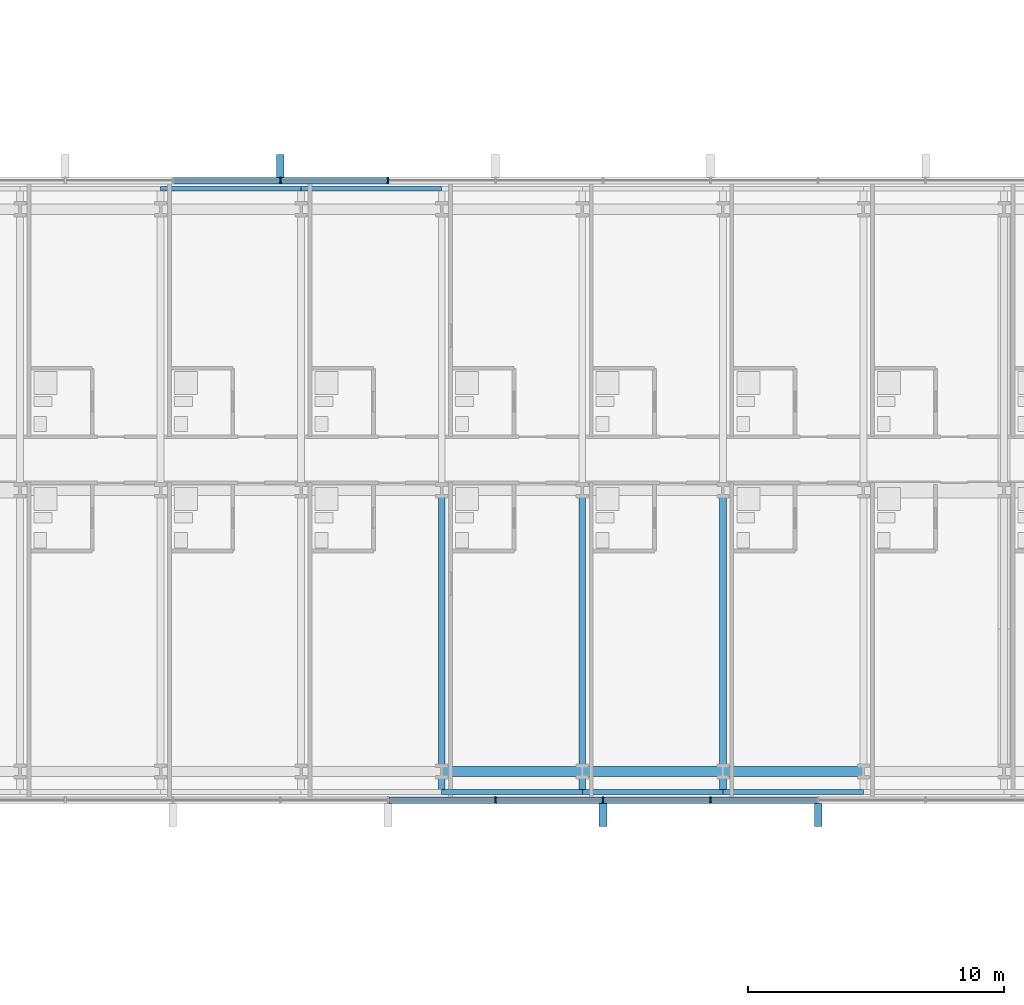
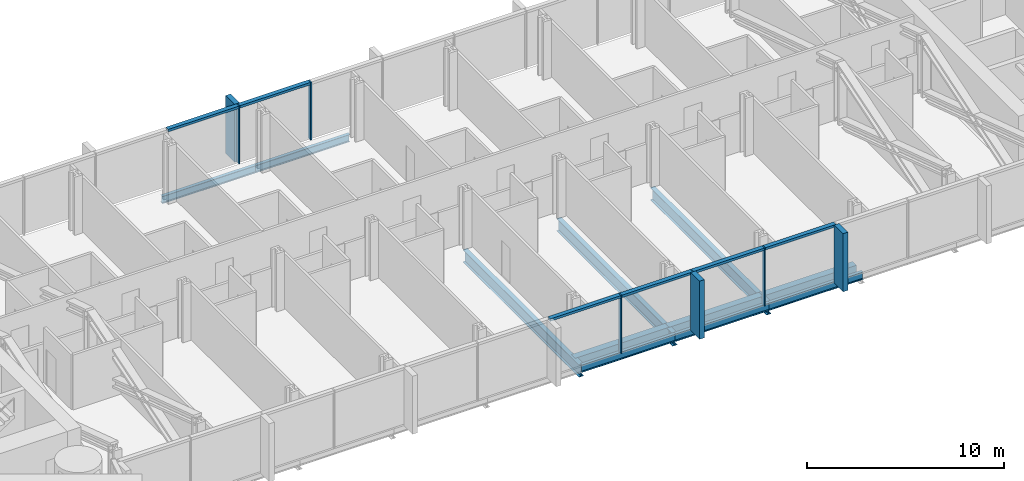
# One storey, part 6 of 23: 14 members, 11 beams, 2 elements without a shape of their own.
"""IFC4 building model written with IfcOpenShell, lengths in metres."""

from ifc_helpers import new_model, si_unit, direction, frame, origin, origin_2d, place, context, subcontext, project, spatial, rectangle, hollow_rectangle, i_section, extrude, material, material_profile, profile_set, type_object, element, aggregate, save


model = new_model("IFC4")

# Units and contexts
model_context = context("Model", 3, precision=1e-05, world=origin(), true_north=direction((0.0, 1.0)))
body_context = subcontext(model_context, "Body", "Model", "MODEL_VIEW")
ifc_project = project(units=[si_unit("LENGTHUNIT", "METRE"), si_unit("AREAUNIT", "SQUARE_METRE"), si_unit("VOLUMEUNIT", "CUBIC_METRE"), si_unit("PLANEANGLEUNIT", "RADIAN"), si_unit("MASSUNIT", "GRAM", prefix="KILO")], contexts=[model_context])

# Site, building, storey
site_placement = place(None, origin())
site = spatial("IfcSite", under=ifc_project, at=site_placement, CompositionType="ELEMENT")
building_placement = place(site_placement, origin())
building = spatial("IfcBuilding", under=site, at=building_placement, Name="Lancet Gate Hotel", CompositionType="ELEMENT")
storey_placement = place(building_placement, frame((0.0, 0.0, 222.5)))
storey = spatial("IfcBuildingStorey", under=building, at=storey_placement, Name="L59", CompositionType="ELEMENT", Elevation=222.5)

# Curtain wall, members
ifc_material_1 = material(Name="Aluminium curtain wall", Category="aluminium")
curtain_wall_type = type_object("IfcCurtainWallType", Name="Bridge block curtain wall", PredefinedType="USERDEFINED", material=ifc_material_1)
curtain_wall_1_placement = place(storey_placement, origin())
curtain_wall_1 = element("IfcCurtainWall", 1, at=curtain_wall_1_placement, inside=storey, type_object=curtain_wall_type, Name="Bridge block L59 curtain wall S", ObjectType="UNITISED CURTAIN WALL", PredefinedType="USERDEFINED")
ifc_material_2 = material(Name="Aluminium mullion", Category="aluminium")
ifc_material_profile_1 = material_profile(ifc_material_2, rectangle(XDim=0.06494140625, YDim=0.25, at=origin_2d()), Name="MULLION 65x250")
ifc_profile_set_1 = profile_set([ifc_material_profile_1], Name="Aluminium mullion")
member_type_1 = type_object("IfcMemberType", Name="Aluminium mullion 65x250", PredefinedType="MULLION", material=ifc_profile_set_1)
member_1_placement = place(storey_placement, frame((2.103759765625, -12.1201171875, 0.0), z_axis=(0.0, 0.0, 1.0), x_axis=(1.0, 0.0, 0.0)))
member_1 = element("IfcMember", 2, at=member_1_placement, type_object=member_type_1, Name="Bridge block L59 curtain wall S mullion 8", PredefinedType="MULLION", context=body_context, shape_type="SweptSolid", body=[
    extrude(rectangle(XDim=0.06494140625, YDim=0.25, at=origin_2d()), origin(), (0.0, 0.0, 1.0), 3.60009765625),
])
member_2_placement = place(storey_placement, frame((6.3115234375, -12.1201171875, 0.0), z_axis=(0.0, 0.0, 1.0), x_axis=(1.0, 0.0, 0.0)))
member_2 = element("IfcMember", 3, at=member_2_placement, type_object=member_type_1, Name="Bridge block L59 curtain wall S mullion 9", PredefinedType="MULLION", context=body_context, shape_type="SweptSolid", body=[
    extrude(rectangle(XDim=0.06494140625, YDim=0.25, at=origin_2d()), origin(), (0.0, 0.0, 1.0), 3.60009765625),
])
member_3_placement = place(storey_placement, frame((10.519287109375, -12.1201171875, 0.0), z_axis=(0.0, 0.0, 1.0), x_axis=(1.0, 0.0, 0.0)))
member_3 = element("IfcMember", 4, at=member_3_placement, type_object=member_type_1, Name="Bridge block L59 curtain wall S mullion 10", PredefinedType="MULLION", context=body_context, shape_type="SweptSolid", body=[
    extrude(rectangle(XDim=0.06494140625, YDim=0.25, at=origin_2d()), origin(), (0.0, 0.0, 1.0), 3.60009765625),
])

curtain_wall_2_placement = place(storey_placement, origin())
curtain_wall_2 = element("IfcCurtainWall", 5, at=curtain_wall_2_placement, inside=storey, type_object=curtain_wall_type, Name="Bridge block L59 curtain wall N", ObjectType="UNITISED CURTAIN WALL", PredefinedType="USERDEFINED")
member_4_placement = place(storey_placement, frame((-2.103759765625, 12.1201171875, 0.0), z_axis=(0.0, 0.0, 1.0), x_axis=(-1.0, 0.0, 0.0)))
member_4 = element("IfcMember", 6, at=member_4_placement, type_object=member_type_1, Name="Bridge block L59 curtain wall N mullion 8", PredefinedType="MULLION", context=body_context, shape_type="SweptSolid", body=[
    extrude(rectangle(XDim=0.06494140625, YDim=0.25, at=origin_2d()), origin(), (0.0, 0.0, 1.0), 3.60009765625),
])
member_5_placement = place(storey_placement, frame((-6.3115234375, 12.1201171875, 0.0), z_axis=(0.0, 0.0, 1.0), x_axis=(-1.0, 0.0, 0.0)))
member_5 = element("IfcMember", 7, at=member_5_placement, type_object=member_type_1, Name="Bridge block L59 curtain wall N mullion 9", PredefinedType="MULLION", context=body_context, shape_type="SweptSolid", body=[
    extrude(rectangle(XDim=0.06494140625, YDim=0.25, at=origin_2d()), origin(), (0.0, 0.0, 1.0), 3.60009765625),
])

# Member
ifc_material_3 = material(Name="Aluminium transom", Category="aluminium")
ifc_material_profile_2 = material_profile(ifc_material_3, rectangle(XDim=0.25, YDim=0.14990234375, at=origin_2d()), Name="TRANSOM 250x150")
ifc_profile_set_2 = profile_set([ifc_material_profile_2], Name="Aluminium transom")
member_type_2 = type_object("IfcMemberType", Name="Aluminium transom 250x150", PredefinedType="USERDEFINED", material=ifc_profile_set_2)
member_6_placement = place(storey_placement, frame((-2.0712890625, -12.1201171875, 3.52490234375), z_axis=(1.0, 0.0, 0.0), x_axis=(0.0, 1.0, 0.0)))
member_6 = element("IfcMember", 8, at=member_6_placement, type_object=member_type_2, Name="Bridge block L59 curtain wall S transom 7", ObjectType="TRANSOM", PredefinedType="USERDEFINED", context=body_context, shape_type="SweptSolid", body=[
    extrude(rectangle(XDim=0.25, YDim=0.14990234375, at=origin_2d()), origin(), (0.0, 0.0, 1.0), 4.142578125),
])

member_7_placement = place(storey_placement, frame((2.13623046875, -12.1201171875, 3.52490234375), z_axis=(1.0, 0.0, 0.0), x_axis=(0.0, 1.0, 0.0)))
member_7 = element("IfcMember", 9, at=member_7_placement, type_object=member_type_2, Name="Bridge block L59 curtain wall S transom 8", ObjectType="TRANSOM", PredefinedType="USERDEFINED", context=body_context, shape_type="SweptSolid", body=[
    extrude(rectangle(XDim=0.25, YDim=0.14990234375, at=origin_2d()), origin(), (0.0, 0.0, 1.0), 4.142822265625),
])

member_8_placement = place(storey_placement, frame((6.343994140625, -12.1201171875, 3.52490234375), z_axis=(1.0, 0.0, 0.0), x_axis=(0.0, 1.0, 0.0)))
member_8 = element("IfcMember", 10, at=member_8_placement, type_object=member_type_2, Name="Bridge block L59 curtain wall S transom 9", ObjectType="TRANSOM", PredefinedType="USERDEFINED", context=body_context, shape_type="SweptSolid", body=[
    extrude(rectangle(XDim=0.25, YDim=0.14990234375, at=origin_2d()), origin(), (0.0, 0.0, 1.0), 4.142822265625),
])

member_9_placement = place(storey_placement, frame((10.5517578125, -12.1201171875, 3.52490234375), z_axis=(1.0, 0.0, 0.0), x_axis=(0.0, 1.0, 0.0)))
member_9 = element("IfcMember", 11, at=member_9_placement, type_object=member_type_2, Name="Bridge block L59 curtain wall S transom 10", ObjectType="TRANSOM", PredefinedType="USERDEFINED", context=body_context, shape_type="SweptSolid", body=[
    extrude(rectangle(XDim=0.25, YDim=0.14990234375, at=origin_2d()), origin(), (0.0, 0.0, 1.0), 4.142578125),
])

member_10_placement = place(storey_placement, frame((-2.13623046875, 12.1201171875, 3.52490234375), z_axis=(-1.0, 0.0, 0.0), x_axis=(0.0, -1.0, 0.0)))
member_10 = element("IfcMember", 12, at=member_10_placement, type_object=member_type_2, Name="Bridge block L59 curtain wall N transom 8", ObjectType="TRANSOM", PredefinedType="USERDEFINED", context=body_context, shape_type="SweptSolid", body=[
    extrude(rectangle(XDim=0.25, YDim=0.14990234375, at=origin_2d()), origin(), (0.0, 0.0, 1.0), 4.142822265625),
])

member_11_placement = place(storey_placement, frame((-6.343994140625, 12.1201171875, 3.52490234375), z_axis=(-1.0, 0.0, 0.0), x_axis=(0.0, -1.0, 0.0)))
member_11 = element("IfcMember", 13, at=member_11_placement, type_object=member_type_2, Name="Bridge block L59 curtain wall N transom 9", ObjectType="TRANSOM", PredefinedType="USERDEFINED", context=body_context, shape_type="SweptSolid", body=[
    extrude(rectangle(XDim=0.25, YDim=0.14990234375, at=origin_2d()), origin(), (0.0, 0.0, 1.0), 4.142822265625),
])

# Beams
ifc_material_4 = material(Name="Steel S355", Category="steel")
ifc_material_profile_3 = material_profile(ifc_material_4, i_section(OverallWidth=0.19140625, OverallDepth=0.4599609375, WebThickness=0.010009765625, FlangeThickness=0.01611328125, FilletRadius=0.01025390625, at=origin_2d()), Name="UKB 457x191x82")
ifc_profile_set_3 = profile_set([ifc_material_profile_3], Name="Steel S355")
beam_type_1 = type_object("IfcBeamType", Name="Block edge beam UKB 457x191x82", PredefinedType="SPANDREL", material=ifc_profile_set_3)
for number, where, z_axis, x_axis, name in (
    (14, (-11.0, 11.800048828125, -0.429931640625), (1.0, 0.0, 0.0), (0.0, 1.0, 0.0), "Block edge beam N 3-4 L59"),
    (15, (-5.5, 11.800048828125, -0.429931640625), (1.0, 0.0, 0.0), (0.0, 1.0, 0.0), "Block edge beam N 4-5 L59"),
    (16, (0.0, -11.800048828125, -0.429931640625), (1.0, 0.0, 0.0), (0.0, 1.0, 0.0), "Block edge beam S 5-6 L59"),
    (17, (5.5, -11.800048828125, -0.429931640625), (1.0, 0.0, 0.0), (0.0, 1.0, 0.0), "Block edge beam S 6-7 L59"),
    (18, (11.0, -11.800048828125, -0.429931640625), (1.0, 0.0, 0.0), (0.0, 1.0, 0.0), "Block edge beam S 7-8 L59"),
):
    element("IfcBeam", number, at=place(storey_placement, frame(where, z_axis=z_axis, x_axis=x_axis)), inside=storey, type_object=beam_type_1, Name=name, PredefinedType="SPANDREL", context=body_context, shape_type="SweptSolid", body=[
        extrude(i_section(OverallWidth=0.19140625, OverallDepth=0.4599609375, WebThickness=0.010009765625, FlangeThickness=0.01611328125, FilletRadius=0.01025390625, at=origin_2d()), origin(), (0.0, 0.0, 1.0), 5.5),
    ])
ifc_material_5 = material(Name="Steel S355", Category="steel")
ifc_material_profile_4 = material_profile(ifc_material_5, hollow_rectangle(XDim=0.39990234375, YDim=0.89990234375, WallThickness=0.0400390625, at=origin_2d()), Name="BOX 900x400x40")
ifc_profile_set_4 = profile_set([ifc_material_profile_4], Name="Steel S355")
beam_type_2 = type_object("IfcBeamType", Name="Block primary beam BOX 900x400x40", PredefinedType="BEAM", material=ifc_profile_set_4)
for number, where, z_axis, x_axis, name in (
    (19, (0.0, -11.0, -0.64990234375), (1.0, 0.0, 0.0), (0.0, 1.0, 0.0), "Block primary beam S 6 L59"),
    (20, (5.5, -11.0, -0.64990234375), (1.0, 0.0, 0.0), (0.0, 1.0, 0.0), "Block primary beam S 7 L59"),
    (21, (11.0, -11.0, -0.64990234375), (1.0, 0.0, 0.0), (0.0, 1.0, 0.0), "Block primary beam S 8 L59"),
):
    element("IfcBeam", number, at=place(storey_placement, frame(where, z_axis=z_axis, x_axis=x_axis)), inside=storey, type_object=beam_type_2, Name=name, PredefinedType="BEAM", context=body_context, shape_type="SweptSolid", body=[
        extrude(hollow_rectangle(XDim=0.39990234375, YDim=0.89990234375, WallThickness=0.0400390625, at=origin_2d()), origin(), (0.0, 0.0, 1.0), 5.5),
    ])
ifc_material_6 = material(Name="Steel S355", Category="steel")
ifc_material_profile_5 = material_profile(ifc_material_6, i_section(OverallWidth=0.26806640625, OverallDepth=0.769775390625, WebThickness=0.015625, FlangeThickness=0.025390625, FilletRadius=0.0166015625, at=origin_2d()), Name="UKB 762x267x197")
ifc_profile_set_5 = profile_set([ifc_material_profile_5], Name="Steel S355")
beam_type_3 = type_object("IfcBeamType", Name="Block secondary beam UKB 762x267x197", PredefinedType="JOIST", material=ifc_profile_set_5)
for number, where, z_axis, x_axis, name in (
    (22, (0.0, -11.800048828125, -0.5849609375), (0.0, 1.0, 0.0), (-1.0, 0.0, 0.0), "Block beam x5 S L59"),
    (23, (5.5, -11.800048828125, -0.5849609375), (0.0, 1.0, 0.0), (-1.0, 0.0, 0.0), "Block beam x6 S L59"),
    (24, (11.0, -11.800048828125, -0.5849609375), (0.0, 1.0, 0.0), (-1.0, 0.0, 0.0), "Block beam x7 S L59"),
):
    element("IfcBeam", number, at=place(storey_placement, frame(where, z_axis=z_axis, x_axis=x_axis)), inside=storey, type_object=beam_type_3, Name=name, PredefinedType="JOIST", context=body_context, shape_type="SweptSolid", body=[
        extrude(i_section(OverallWidth=0.26806640625, OverallDepth=0.769775390625, WebThickness=0.015625, FlangeThickness=0.025390625, FilletRadius=0.0166015625, at=origin_2d()), origin(), (0.0, 0.0, 1.0), 11.800048828125),
    ])

# Member
ifc_material_7 = material(Name="Precast concrete C50/60", Category="concrete")
ifc_material_profile_6 = material_profile(ifc_material_7, rectangle(XDim=0.300048828125, YDim=0.89990234375, at=origin_2d()), Name="FIN 300x900")
ifc_profile_set_6 = profile_set([ifc_material_profile_6], Name="Precast concrete C50/60")
member_type_3 = type_object("IfcMemberType", Name="Exposed concrete fin 300x900", PredefinedType="USERDEFINED", material=ifc_profile_set_6)
member_12_placement = place(storey_placement, frame((6.3115234375, -12.695068359375, 0.0), z_axis=(0.0, 0.0, 1.0), x_axis=(1.0, 0.0, 0.0)))
member_12 = element("IfcMember", 25, at=member_12_placement, type_object=member_type_3, Name="Bridge block L59 curtain wall S fin 9", ObjectType="FIN", PredefinedType="USERDEFINED", context=body_context, shape_type="SweptSolid", body=[
    extrude(rectangle(XDim=0.300048828125, YDim=0.89990234375, at=origin_2d()), origin(), (0.0, 0.0, 1.0), 3.60009765625),
])

member_13_placement = place(storey_placement, frame((14.726806640625, -12.695068359375, 0.0), z_axis=(0.0, 0.0, 1.0), x_axis=(1.0, 0.0, 0.0)))
member_13 = element("IfcMember", 26, at=member_13_placement, type_object=member_type_3, Name="Bridge block L59 curtain wall S fin 11", ObjectType="FIN", PredefinedType="USERDEFINED", context=body_context, shape_type="SweptSolid", body=[
    extrude(rectangle(XDim=0.300048828125, YDim=0.89990234375, at=origin_2d()), origin(), (0.0, 0.0, 1.0), 3.60009765625),
])

aggregate(curtain_wall_1, [member_1, member_2, member_12, member_3, member_13, member_6, member_7, member_8, member_9])

member_14_placement = place(storey_placement, frame((-6.3115234375, 12.695068359375, 0.0), z_axis=(0.0, 0.0, 1.0), x_axis=(-1.0, 0.0, 0.0)))
member_14 = element("IfcMember", 27, at=member_14_placement, type_object=member_type_3, Name="Bridge block L59 curtain wall N fin 9", ObjectType="FIN", PredefinedType="USERDEFINED", context=body_context, shape_type="SweptSolid", body=[
    extrude(rectangle(XDim=0.300048828125, YDim=0.89990234375, at=origin_2d()), origin(), (0.0, 0.0, 1.0), 3.60009765625),
])

aggregate(curtain_wall_2, [member_4, member_5, member_14, member_10, member_11])

save(model, "model.ifc")
